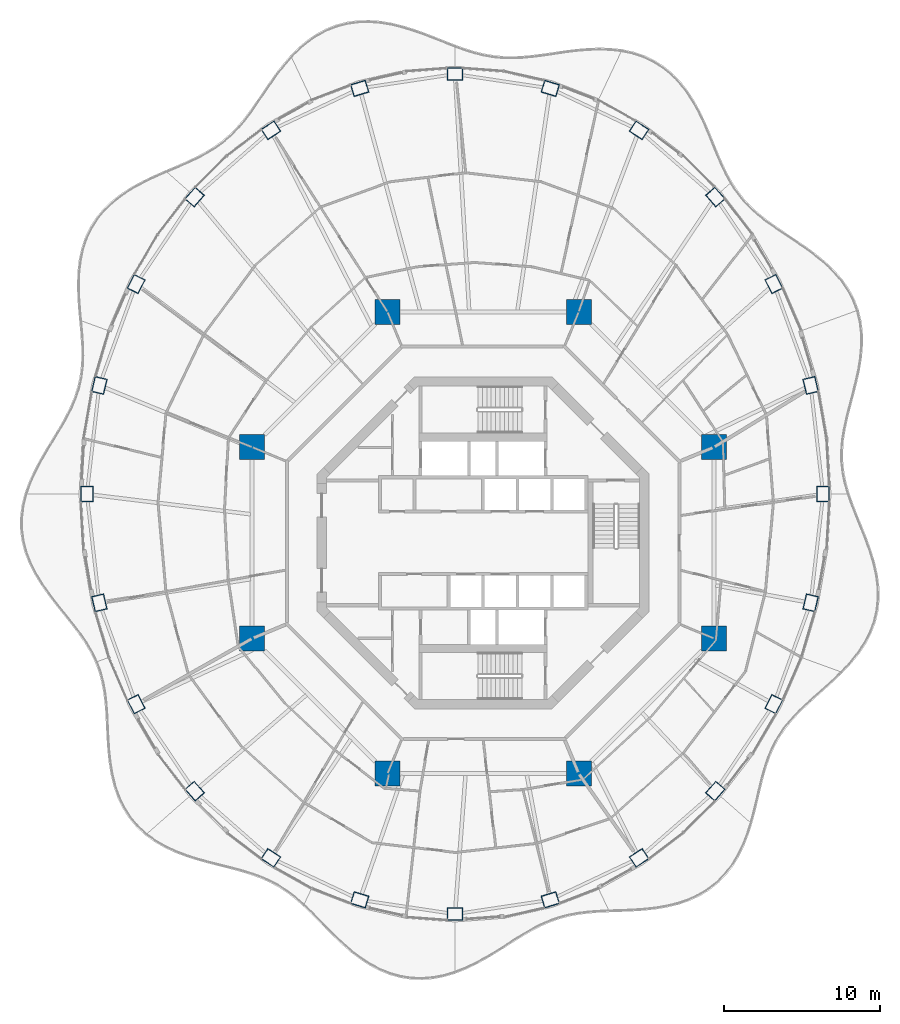
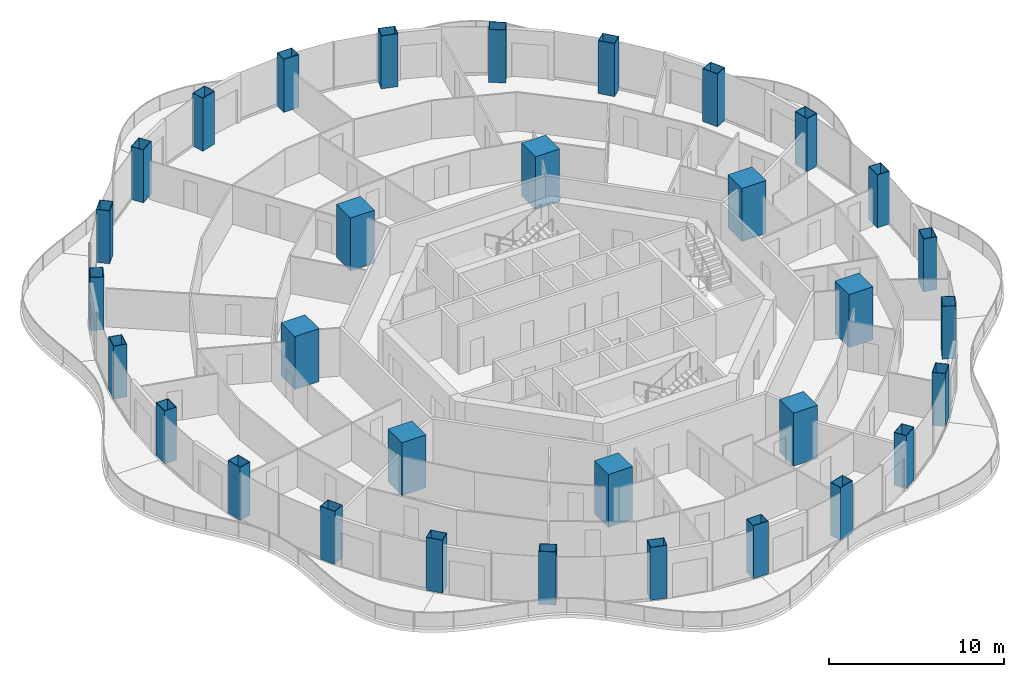
# One storey, part 1 of 18: 32 columns.
"""IFC4 building model written with IfcOpenShell, lengths in metres."""

import ifcopenshell
import ifcopenshell.guid

model = None  # the IFC model being written
_history = None  # IfcOwnerHistory: only IFC2X3 demands one
_inside = {}  # id of a spatial element -> (the spatial element, [elements in it])
_under = {}  # id of a project, library or spatial element -> (it, [spatial elements below it])
_declared = {}  # id of a project -> (the project, [libraries it declares])
_typed = {}  # id of a type object -> (the type object, [elements of that type])
_made_of = {}  # id of a material, layer set ... -> (it, [elements and type objects made of it])


def new_model(schema):
    """Start an empty IFC model of exactly this schema.

    Asked for "IFC4X3", IfcOpenShell would pick the latest addendum, in which some entities
    have other attributes; the version numbers below select the first issue.
    IFC2X3 requires an IfcOwnerHistory on every rooted entity: one is made here for all.
    """
    global model, _history
    if schema == "IFC4X3":
        model = ifcopenshell.file(schema_version=(4, 3, 0, 0))
    else:
        model = ifcopenshell.file(schema=schema)
    _inside.clear()
    _under.clear()
    _declared.clear()
    _typed.clear()
    _made_of.clear()
    _history = None
    if model.schema == "IFC2X3":
        org = make("IfcOrganization", Name="unknown")
        user = make(
            "IfcPersonAndOrganization",
            ThePerson=make("IfcPerson", FamilyName="unknown"),
            TheOrganization=org,
        )
        app = make(
            "IfcApplication",
            ApplicationDeveloper=org,
            Version="unknown",
            ApplicationFullName="unknown",
            ApplicationIdentifier="unknown",
        )
        _history = make(
            "IfcOwnerHistory",
            OwningUser=user,
            OwningApplication=app,
            ChangeAction="ADDED",
            CreationDate=0,
        )
    return model


def make(cls, **values):
    """One entity of the class cls with the attributes given. An attribute that is None is left unset."""
    return model.create_entity(
        cls, **{name: value for name, value in values.items() if value is not None}
    )


def rooted(cls, **values):
    """An entity with a GlobalId (a new one), such as an element, a storey or a relation."""
    return make(cls, GlobalId=ifcopenshell.guid.new(), OwnerHistory=_history, **values)


def si_unit(unit_type, name, prefix=None):
    """IfcSIUnit, for example si_unit("LENGTHUNIT", "METRE", prefix="MILLI")."""
    return make("IfcSIUnit", UnitType=unit_type, Prefix=prefix, Name=name)


def assignment(units):
    """IfcUnitAssignment: the units of a project."""
    return None if units is None else make("IfcUnitAssignment", Units=units)


def point(xyz):
    """IfcCartesianPoint."""
    return None if xyz is None else make("IfcCartesianPoint", Coordinates=xyz)


def direction(xyz):
    """IfcDirection."""
    return None if xyz is None else make("IfcDirection", DirectionRatios=xyz)


def frame(location, z_axis=None, x_axis=None):
    """IfcAxis2Placement3D, a coordinate frame: its origin and axes. An axis left out is left unset."""
    return make(
        "IfcAxis2Placement3D",
        Location=point(location),
        Axis=direction(z_axis),
        RefDirection=direction(x_axis),
    )


def frame_2d(location, x_axis=None):
    """IfcAxis2Placement2D, a coordinate frame in the plane: its origin and x axis."""
    return make(
        "IfcAxis2Placement2D", Location=point(location), RefDirection=direction(x_axis)
    )


def origin():
    """The frame at (0, 0, 0) with its axes left unset."""
    return frame((0.0, 0.0, 0.0))


def origin_2d():
    """The frame at (0, 0) in the plane with its x axis left unset."""
    return frame_2d((0.0, 0.0))


def place(relative_to, where):
    """IfcLocalPlacement: puts the frame where relative to a parent placement (None: the world)."""
    return make(
        "IfcLocalPlacement", PlacementRelTo=relative_to, RelativePlacement=where
    )


def context(
    kind, dimensions, precision=None, world=None, true_north=None, identifier=None
):
    """IfcGeometricRepresentationContext, for example the 3D "Model" context."""
    return make(
        "IfcGeometricRepresentationContext",
        ContextIdentifier=identifier,
        ContextType=kind,
        CoordinateSpaceDimension=dimensions,
        Precision=precision,
        WorldCoordinateSystem=world,
        TrueNorth=true_north,
    )


def subcontext(parent, identifier, kind, view, scale=None):
    """IfcGeometricRepresentationSubContext, for example "Body" below "Model"."""
    return make(
        "IfcGeometricRepresentationSubContext",
        ContextIdentifier=identifier,
        ContextType=kind,
        ParentContext=parent,
        TargetScale=scale,
        TargetView=view,
    )


def project(units=None, contexts=None):
    """IfcProject with its units and contexts."""
    return rooted(
        "IfcProject",
        Name="project",
        RepresentationContexts=contexts,
        UnitsInContext=assignment(units),
    )


def spatial(cls, under=None, at=None, **own):
    """A site, building, storey or space (cls), placed at a placement, below another one or the project."""
    s = rooted(cls, ObjectPlacement=at, **own)
    if under is not None:
        _under.setdefault(under.id(), (under, []))[1].append(s)
    return s


def profile(cls, at=None, kind="AREA", **sizes):
    """A parametric profile (cls). Its sizes go by their IFC names, for example OverallWidth=200.0."""
    return make(cls, ProfileType=kind, Position=at, **sizes)


def rectangle(**sizes):
    """IfcRectangleProfileDef."""
    return profile("IfcRectangleProfileDef", **sizes)


def hollow_rectangle(**sizes):
    """IfcRectangleHollowProfileDef."""
    return profile("IfcRectangleHollowProfileDef", **sizes)


def extrude(swept, where, along, depth):
    """IfcExtrudedAreaSolid: the profile swept, set in the frame where, extruded along a direction by depth."""
    return make(
        "IfcExtrudedAreaSolid",
        SweptArea=swept,
        Position=where,
        ExtrudedDirection=direction(along),
        Depth=depth,
    )


def shape(context_of_items, identifier, shape_type, items):
    """IfcShapeRepresentation: the items that make up one representation, for example the "Body"."""
    return make(
        "IfcShapeRepresentation",
        ContextOfItems=context_of_items,
        RepresentationIdentifier=identifier,
        RepresentationType=shape_type,
        Items=items,
    )


def material(Name=None, Category=None):
    """IfcMaterial."""
    return make("IfcMaterial", Name=Name, Category=Category)


def material_profile(
    of_material, cross_section, Name=None, Category=None, Priority=None
):
    """IfcMaterialProfile: a cross section and its material."""
    return make(
        "IfcMaterialProfile",
        Name=Name,
        Material=of_material,
        Profile=cross_section,
        Priority=Priority,
        Category=Category,
    )


def profile_set(profiles, Name=None, composite=None):
    """IfcMaterialProfileSet."""
    return make(
        "IfcMaterialProfileSet",
        Name=Name,
        MaterialProfiles=profiles,
        CompositeProfile=composite,
    )


def made_of(thing, what):
    """Note that an element or type object is made of a material, layer set ...; save() writes the relation."""
    if what is not None:
        _made_of.setdefault(what.id(), (what, []))[1].append(thing)
    return thing


def type_object(cls, material=None, **own):
    """A type object (cls), such as IfcWallType, which elements share."""
    return made_of(rooted(cls, **own), material)


def element(
    cls,
    number,
    at=None,
    inside=None,
    cuts=None,
    type_object=None,
    material=None,
    context=None,
    identifier="Body",
    shape_type=None,
    held_by="IfcProductDefinitionShape",
    body=None,
    shapes=None,
    **own,
):
    """One element of the class cls, such as IfcWall. Its Tag is "e" and its number.

    at: its placement. inside: the storey or other place that contains it. cuts: it is an
    opening in that element (IfcRelVoidsElement). A single representation is given by context,
    identifier, shape_type and body (its items); several are given by shapes. held_by: the class
    of the entity that holds the representations. save() writes the other relations.
    """
    e = rooted(cls, Tag="e%d" % number, ObjectPlacement=at, **own)
    if body is not None:
        shapes = [shape(context, identifier, shape_type, body)]
    if shapes is not None:
        e.Representation = make(held_by, Representations=shapes)
    if inside is not None:
        _inside.setdefault(inside.id(), (inside, []))[1].append(e)
    if cuts is not None:
        rooted(
            "IfcRelVoidsElement", RelatingBuildingElement=cuts, RelatedOpeningElement=e
        )
    if type_object is not None:
        _typed.setdefault(type_object.id(), (type_object, []))[1].append(e)
    return made_of(e, material)


def aggregate(whole, parts):
    """IfcRelAggregates: a whole, such as a stair, and the parts it consists of."""
    return rooted("IfcRelAggregates", RelatingObject=whole, RelatedObjects=parts)


def save(model, path):
    """Write the relations noted so far, then the file.

    IfcRelAggregates (storeys below a building ...), IfcRelContainedInSpatialStructure (elements
    in a storey), IfcRelDefinesByType, IfcRelAssociatesMaterial and IfcRelDeclares: one each for
    every whole, place, type object, material and project.
    """
    for whole, parts in _under.values():
        aggregate(whole, parts)
    for where, things in _inside.values():
        rooted(
            "IfcRelContainedInSpatialStructure",
            RelatedElements=things,
            RelatingStructure=where,
        )
    for kind, things in _typed.values():
        rooted("IfcRelDefinesByType", RelatedObjects=things, RelatingType=kind)
    for what, things in _made_of.values():
        rooted("IfcRelAssociatesMaterial", RelatedObjects=things, RelatingMaterial=what)
    for by, libraries in _declared.values():
        rooted("IfcRelDeclares", RelatingContext=by, RelatedDefinitions=libraries)
    model.write(path)


model = new_model("IFC4")

# Units and contexts
model_context = context("Model", 3, precision=1e-05, world=origin(), true_north=direction((0.0, 1.0)))
body_context = subcontext(model_context, "Body", "Model", "MODEL_VIEW")
ifc_project = project(units=[si_unit("LENGTHUNIT", "METRE"), si_unit("AREAUNIT", "SQUARE_METRE"), si_unit("VOLUMEUNIT", "CUBIC_METRE"), si_unit("PLANEANGLEUNIT", "RADIAN"), si_unit("MASSUNIT", "GRAM", prefix="KILO")], contexts=[model_context])

# Site, building, storey
site_placement = place(None, origin())
site = spatial("IfcSite", under=ifc_project, at=site_placement, CompositionType="ELEMENT")
building_placement = place(site_placement, origin())
building = spatial("IfcBuilding", under=site, at=building_placement, Name="Nagisa Residences", CompositionType="ELEMENT")
storey_placement = place(building_placement, frame((0.0, 0.0, 249.199951171875)))
storey = spatial("IfcBuildingStorey", under=building, at=storey_placement, Name="L63", CompositionType="ELEMENT", Elevation=249.199951171875)

# Columns
ifc_material_1 = material(Name="Concrete C80", Category="concrete")
ifc_material_profile_1 = material_profile(ifc_material_1, rectangle(XDim=1.60009765625, YDim=1.60009765625, at=origin_2d()), Name="C80 1600x1600")
ifc_profile_set_1 = profile_set([ifc_material_profile_1], Name="Concrete C80")
column_type_1 = type_object("IfcColumnType", Name="Inner megacolumn C80 1600x1600", PredefinedType="COLUMN", material=ifc_profile_set_1)
for number, where, z_axis, x_axis, name in (
    (1, (14.781982421875, 6.123046875, 0.0), (0.0, 0.0, 1.0), (1.0, 0.0, 0.0), "col:L63:i1"),
    (2, (6.123046875, 14.781982421875, 0.0), (0.0, 0.0, 1.0), (1.0, 0.0, 0.0), "col:L63:i2"),
    (3, (-6.123046875, 14.781982421875, 0.0), (0.0, 0.0, 1.0), (1.0, 0.0, 0.0), "col:L63:i3"),
    (4, (-14.781982421875, 6.123046875, 0.0), (0.0, 0.0, 1.0), (1.0, 0.0, 0.0), "col:L63:i4"),
    (5, (-14.781982421875, -6.123046875, 0.0), (0.0, 0.0, 1.0), (1.0, 0.0, 0.0), "col:L63:i5"),
    (6, (-6.123046875, -14.781982421875, 0.0), (0.0, 0.0, 1.0), (1.0, 0.0, 0.0), "col:L63:i6"),
    (7, (6.123046875, -14.781982421875, 0.0), (0.0, 0.0, 1.0), (1.0, 0.0, 0.0), "col:L63:i7"),
    (8, (14.781982421875, -6.123046875, 0.0), (0.0, 0.0, 1.0), (1.0, 0.0, 0.0), "col:L63:i8"),
):
    element("IfcColumn", number, at=place(storey_placement, frame(where, z_axis=z_axis, x_axis=x_axis)), inside=storey, type_object=column_type_1, Name=name, PredefinedType="COLUMN", context=body_context, shape_type="SweptSolid", body=[
        extrude(rectangle(XDim=1.60009765625, YDim=1.60009765625, at=origin_2d()), origin(), (0.0, 0.0, 1.0), 3.699951171875),
    ])
ifc_material_2 = material(Name="Steel ASTM A572 Gr 50", Category="steel")
ifc_material_profile_2 = material_profile(ifc_material_2, hollow_rectangle(XDim=1.0, YDim=0.800048828125, WallThickness=0.031982421875, at=origin_2d()), Name="BX 1000x800x32")
ifc_profile_set_2 = profile_set([ifc_material_profile_2], Name="Steel ASTM A572 Gr 50")
column_type_2 = type_object("IfcColumnType", Name="Perimeter column BX 1000x800x32", PredefinedType="COLUMN", material=ifc_profile_set_2)
for number, where, z_axis, x_axis, name in (
    (9, (21.77001953125, 3.11767578125, 0.0), (0.0, 0.0, 1.0), (0.0, 1.0, 0.0), "col:L63:p00"),
    (10, (20.966796875, 10.077392578125, 0.0), (0.0, 0.0, 1.0), (-0.229202013103, 0.973378876486, 0.0), "col:L63:p01"),
    (11, (18.6123046875, 16.562744140625, 0.0), (0.0, 0.0, 1.0), (-0.452462697578, 0.891783329795, 0.0), "col:L63:p02"),
    (12, (14.866455078125, 22.1318359375, 0.0), (0.0, 0.0, 1.0), (-0.660114607735, 0.751164898445, 0.0), "col:L63:p03"),
    (13, (9.985107421875, 26.405029296875, 0.0), (0.0, 0.0, 1.0), (-0.835766105673, 0.54908561865, 0.0), "col:L63:p04"),
    (14, (4.30029296875, 29.091552734375, 0.0), (0.0, 0.0, 1.0), (-0.956524583408, 0.291651712384, 0.0), "col:L63:p05"),
    (15, (-1.800048828125, 30.0078125, 0.0), (0.0, 0.0, 1.0), (-1.0, 0.0, 0.0), "col:L63:p06"),
    (16, (-7.900390625, 29.091552734375, 0.0), (0.0, 0.0, 1.0), (-0.956524583408, -0.291651712384, 0.0), "col:L63:p07"),
    (17, (-13.5849609375, 26.405029296875, 0.0), (0.0, 0.0, 1.0), (-0.835766105673, -0.54908561865, 0.0), "col:L63:p08"),
    (18, (-18.466552734375, 22.1318359375, 0.0), (0.0, 0.0, 1.0), (-0.660114607735, -0.751164898445, 0.0), "col:L63:p09"),
    (19, (-22.212158203125, 16.562744140625, 0.0), (0.0, 0.0, 1.0), (-0.452462697578, -0.891783329795, 0.0), "col:L63:p10"),
    (20, (-24.56689453125, 10.077392578125, 0.0), (0.0, 0.0, 1.0), (-0.229202013103, -0.973378876486, 0.0), "col:L63:p11"),
    (21, (-25.3701171875, 3.11767578125, 0.0), (0.0, 0.0, 1.0), (0.0, -1.0, 0.0), "col:L63:p12"),
    (22, (-24.56689453125, -3.842041015625, 0.0), (0.0, 0.0, 1.0), (0.229202013103, -0.973378876486, 0.0), "col:L63:p13"),
    (23, (-22.212158203125, -10.327392578125, 0.0), (0.0, 0.0, 1.0), (0.452462697578, -0.891783329795, 0.0), "col:L63:p14"),
    (24, (-18.466552734375, -15.896484375, 0.0), (0.0, 0.0, 1.0), (0.660114607735, -0.751164898445, 0.0), "col:L63:p15"),
    (25, (-13.5849609375, -20.169677734375, 0.0), (0.0, 0.0, 1.0), (0.835766105673, -0.54908561865, 0.0), "col:L63:p16"),
    (26, (-7.900390625, -22.85595703125, 0.0), (0.0, 0.0, 1.0), (0.956524583408, -0.291651712384, 0.0), "col:L63:p17"),
    (27, (-1.800048828125, -23.772216796875, 0.0), (0.0, 0.0, 1.0), (1.0, 0.0, 0.0), "col:L63:p18"),
    (28, (4.30029296875, -22.85595703125, 0.0), (0.0, 0.0, 1.0), (0.956524583408, 0.291651712384, 0.0), "col:L63:p19"),
    (29, (9.985107421875, -20.169677734375, 0.0), (0.0, 0.0, 1.0), (0.835766105673, 0.54908561865, 0.0), "col:L63:p20"),
    (30, (14.866455078125, -15.896484375, 0.0), (0.0, 0.0, 1.0), (0.660114607735, 0.751164898445, 0.0), "col:L63:p21"),
    (31, (18.6123046875, -10.327392578125, 0.0), (0.0, 0.0, 1.0), (0.452462697578, 0.891783329795, 0.0), "col:L63:p22"),
    (32, (20.966796875, -3.842041015625, 0.0), (0.0, 0.0, 1.0), (0.229202013103, 0.973378876486, 0.0), "col:L63:p23"),
):
    element("IfcColumn", number, at=place(storey_placement, frame(where, z_axis=z_axis, x_axis=x_axis)), inside=storey, type_object=column_type_2, Name=name, PredefinedType="COLUMN", context=body_context, shape_type="SweptSolid", body=[
        extrude(hollow_rectangle(XDim=1.0, YDim=0.800048828125, WallThickness=0.031982421875, at=origin_2d()), origin(), (0.0, 0.0, 1.0), 3.699951171875),
    ])

save(model, "model.ifc")
